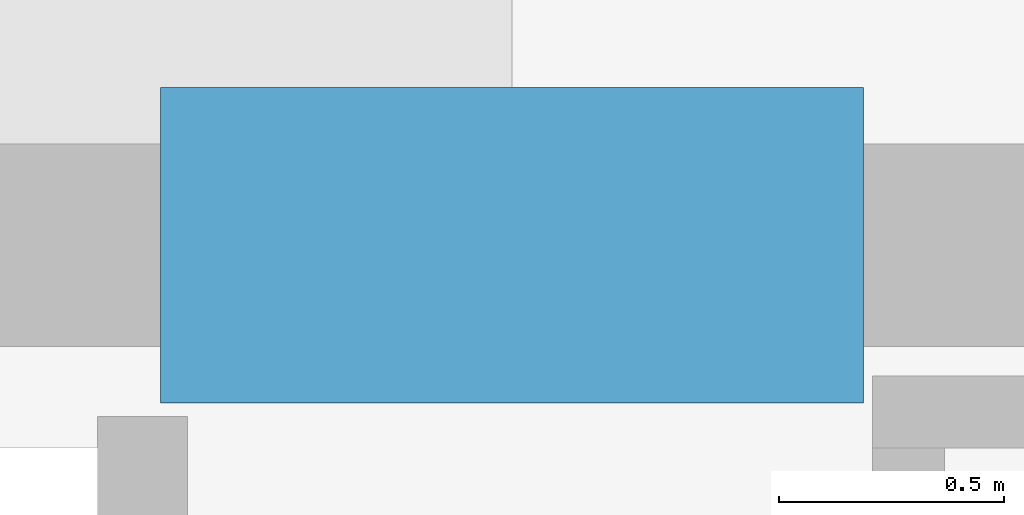
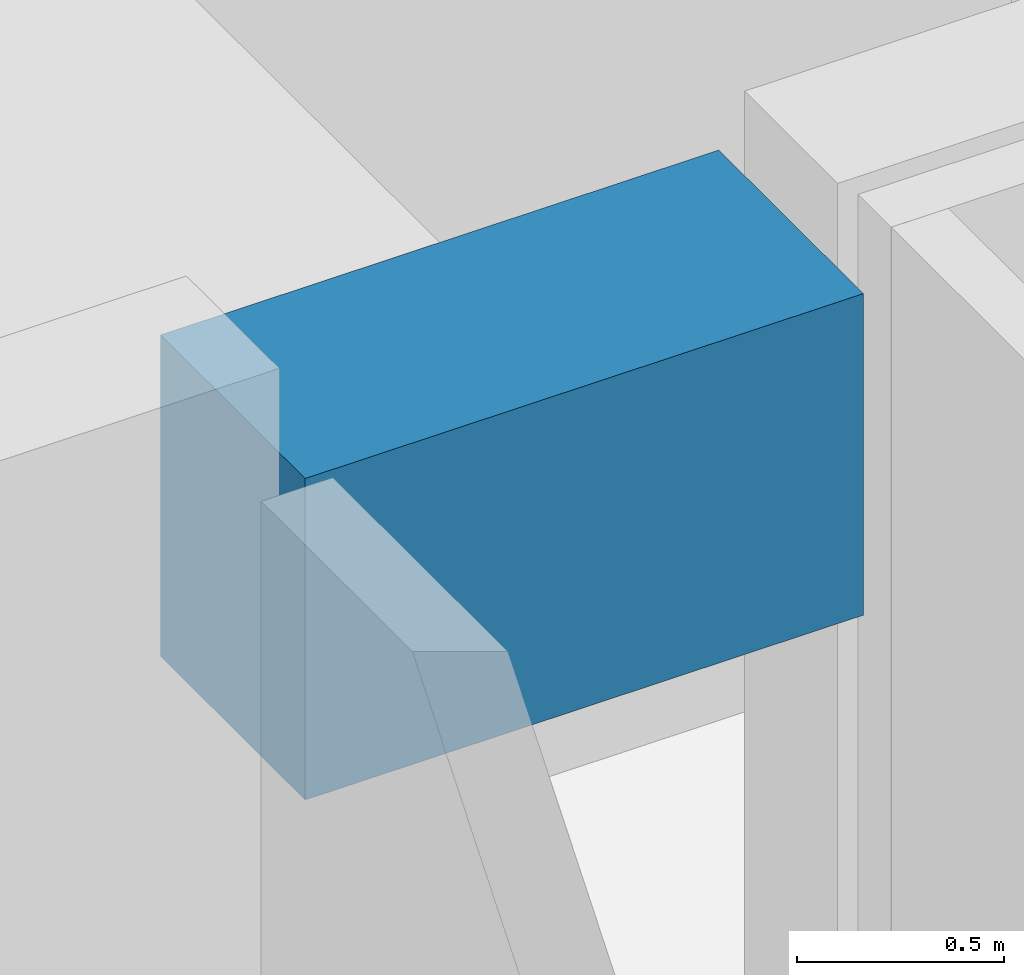
# One storey, part 10 of 31: 1 beam.
"""IFC4 building model written with IfcOpenShell, lengths in metres."""

from ifc_helpers import new_model, si_unit, direction, frame, origin, origin_2d, place, context, subcontext, project, spatial, rectangle, extrude, material, material_profile, profile_set, type_object, element, save


model = new_model("IFC4")

# Units and contexts
model_context = context("Model", 3, precision=1e-05, world=origin(), true_north=direction((0.0, 1.0)))
body_context = subcontext(model_context, "Body", "Model", "MODEL_VIEW")
ifc_project = project(units=[si_unit("LENGTHUNIT", "METRE"), si_unit("AREAUNIT", "SQUARE_METRE"), si_unit("VOLUMEUNIT", "CUBIC_METRE"), si_unit("PLANEANGLEUNIT", "RADIAN"), si_unit("MASSUNIT", "GRAM", prefix="KILO")], contexts=[model_context])

# Site, building, storey
site_placement = place(None, origin())
site = spatial("IfcSite", under=ifc_project, at=site_placement, CompositionType="ELEMENT")
building_placement = place(site_placement, origin())
building = spatial("IfcBuilding", under=site, at=building_placement, Name="Kolvaren Belvedere", CompositionType="ELEMENT")
storey_placement = place(building_placement, frame((0.0, 0.0, 237.39990234375)))
storey = spatial("IfcBuildingStorey", under=building, at=storey_placement, Name="L69", CompositionType="ELEMENT", Elevation=237.39990234375)

# Beam
ifc_material = material(Name="Concrete C60/75", Category="concrete")
ifc_material_profile = material_profile(ifc_material, rectangle(XDim=0.699951171875, YDim=0.949951171875, at=origin_2d()), Name="RC 700X950")
ifc_profile_set = profile_set([ifc_material_profile], Name="Concrete C60/75")
beam_type = type_object("IfcBeamType", Name="BM-LINT-950", PredefinedType="LINTEL", material=ifc_profile_set)
beam_placement = place(storey_placement, frame((4.419921875, 9.89990234375, 2.775146484375), z_axis=(1.0, 0.0, 0.0), x_axis=(0.0, 1.0, 0.0)))
element("IfcBeam", 1, at=beam_placement, inside=storey, type_object=beam_type, Name="L69 North Core Coupling Lintel", PredefinedType="LINTEL", context=body_context, shape_type="SweptSolid", body=[
    extrude(rectangle(XDim=0.699951171875, YDim=0.949951171875, at=origin_2d()), origin(), (0.0, 0.0, 1.0), 1.56005859375),
])

save(model, "model.ifc")
